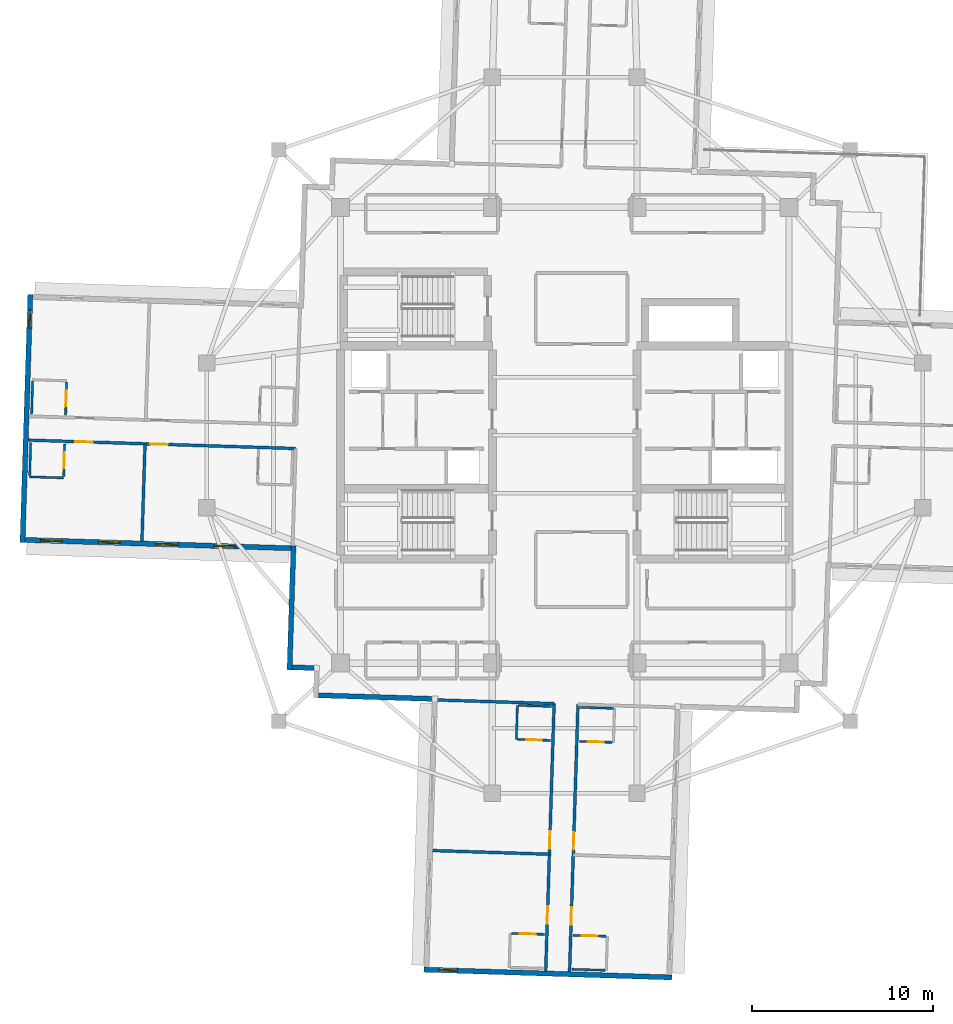
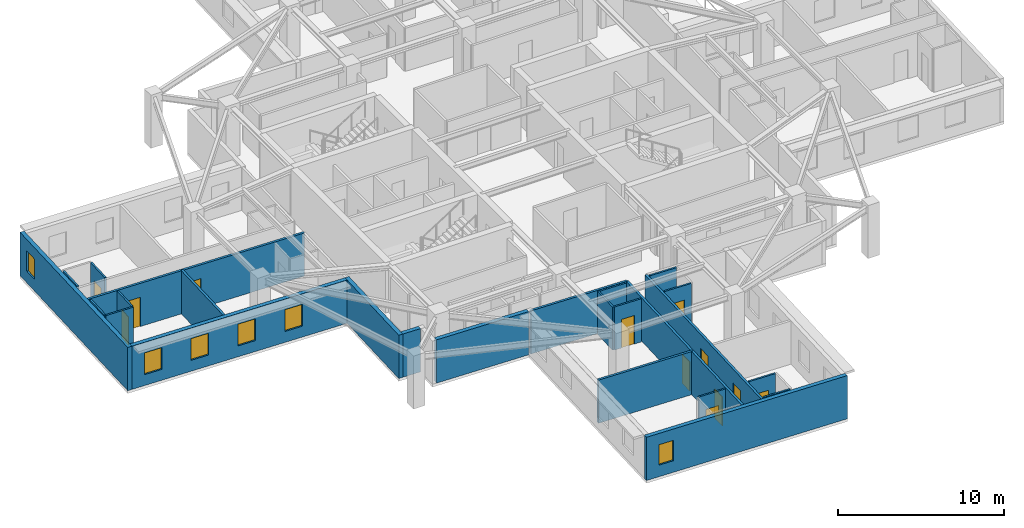
# One storey, part 3 of 12: 25 walls, 12 doors, 6 windows, 18 openings.
"""IFC4 building model written with IfcOpenShell, lengths in metres."""

from ifc_helpers import new_model, si_unit, direction, frame, frame_2d, origin, place, context, subcontext, project, spatial, rectangle, extrude, material, layer, layer_set, type_object, element, fill, save


model = new_model("IFC4")

# Units and contexts
model_context = context("Model", 3, precision=1e-05, world=origin(), true_north=direction((0.0, 1.0)))
body_context = subcontext(model_context, "Body", "Model", "MODEL_VIEW")
ifc_project = project(units=[si_unit("LENGTHUNIT", "METRE"), si_unit("AREAUNIT", "SQUARE_METRE"), si_unit("VOLUMEUNIT", "CUBIC_METRE"), si_unit("PLANEANGLEUNIT", "RADIAN"), si_unit("MASSUNIT", "GRAM", prefix="KILO")], contexts=[model_context])

# Site, building, storey
site_placement = place(None, origin())
site = spatial("IfcSite", under=ifc_project, at=site_placement, CompositionType="ELEMENT")
building_placement = place(site_placement, origin())
building = spatial("IfcBuilding", under=site, at=building_placement, Name="Qingluan Cross Belvedere", CompositionType="ELEMENT")
storey_placement = place(building_placement, frame((0.0, 0.0, 232.5)))
storey = spatial("IfcBuildingStorey", under=building, at=storey_placement, Name="L58", CompositionType="ELEMENT", Elevation=232.5)

# Wall, openings, doors
ifc_material_1 = material(Name="Gypsum plasterboard on steel stud acoustic partition", Category="steel")
ifc_layer_1 = layer(ifc_material_1, 0.159912109375, Name="CorridorPartition_160")
ifc_layer_set_1 = layer_set([ifc_layer_1], Name="Gypsum plasterboard on steel stud acoustic partition")
wall_type_1 = type_object("IfcWallType", Name="CorridorPartition_160", PredefinedType="PARTITIONING", material=ifc_layer_set_1)
wall_1_placement = place(storey_placement, frame((-14.88037109375, -0.73291015625, 0.0), z_axis=(0.0, 0.0, 1.0), x_axis=(-0.999506468759, 0.031413673903, 0.0)))
wall_1 = element("IfcWall", 1, at=wall_1_placement, inside=storey, type_object=wall_type_1, Name="Partition L58:W:c1", PredefinedType="PARTITIONING", context=body_context, shape_type="SweptSolid", body=[
    extrude(rectangle(XDim=14.781982421875, YDim=0.159912109375, at=frame_2d((7.39111328125, 0.0))), origin(), (0.0, 0.0, 1.0), 3.169921875),
])
opening_1_placement = place(wall_1_placement, frame((7.071044921875, 0.0, 0.0)))
opening_1 = element("IfcOpeningElement", 2, at=opening_1_placement, cuts=wall_1, Name="Opening GD-10", PredefinedType="OPENING", context=body_context, shape_type="SweptSolid", body=[
    extrude(rectangle(XDim=0.9599609375, YDim=2.14990234375, at=frame_2d((0.47998046875, 1.074951171875))), frame((0.0, 0.08984375, 0.0), z_axis=(0.0, -1.0, 0.0), x_axis=(1.0, 0.0, 0.0)), (0.0, 0.0, 1.0), 0.179931640625),
])
opening_2_placement = place(wall_1_placement, frame((11.221923828125, 0.0, 0.0)))
opening_2 = element("IfcOpeningElement", 3, at=opening_2_placement, cuts=wall_1, Name="Opening GD-10", PredefinedType="OPENING", context=body_context, shape_type="SweptSolid", body=[
    extrude(rectangle(XDim=0.9599609375, YDim=2.14990234375, at=frame_2d((0.47998046875, 1.074951171875))), frame((0.0, 0.08984375, 0.0), z_axis=(0.0, -1.0, 0.0), x_axis=(1.0, 0.0, 0.0)), (0.0, 0.0, 1.0), 0.179931640625),
])
ifc_material_2 = material(Name="Timber oak fire-rated acoustic guestroom door", Category="wood")
door_type_1 = type_object("IfcDoorType", Name="GuestEntryDoor_FD60", OperationType="NOTDEFINED", PredefinedType="DOOR", material=ifc_material_2)
door_1_placement = place(opening_1_placement, origin())
door_1 = element("IfcDoor", 4, at=door_1_placement, inside=storey, type_object=door_type_1, Name="Guest entry fire door 5807", OperationType="SINGLE_SWING_RIGHT", OverallHeight=2.14990234375, OverallWidth=0.9599609375, PredefinedType="DOOR", context=body_context, shape_type="SweptSolid", body=[
    extrude(rectangle(XDim=0.9599609375, YDim=2.14990234375, at=frame_2d((0.47998046875, 1.074951171875))), frame((0.0, 0.02490234375, 0.0), z_axis=(0.0, -1.0, 0.0), x_axis=(1.0, 0.0, 0.0)), (0.0, 0.0, 1.0), 0.050048828125),
])
fill(opening_1, door_1)
door_2_placement = place(opening_2_placement, origin())
door_2 = element("IfcDoor", 5, at=door_2_placement, inside=storey, type_object=door_type_1, Name="Guest entry fire door 5808", OperationType="SINGLE_SWING_RIGHT", OverallHeight=2.14990234375, OverallWidth=0.9599609375, PredefinedType="DOOR", context=body_context, shape_type="SweptSolid", body=[
    extrude(rectangle(XDim=0.9599609375, YDim=2.14990234375, at=frame_2d((0.47998046875, 1.074951171875))), frame((0.0, 0.02490234375, 0.0), z_axis=(0.0, -1.0, 0.0), x_axis=(1.0, 0.0, 0.0)), (0.0, 0.0, 1.0), 0.050048828125),
])
fill(opening_2, door_2)

# Wall
wall_2_placement = place(storey_placement, frame((-23.207275390625, -0.47119140625, 0.0), z_axis=(0.0, 0.0, 1.0), x_axis=(-0.031403591545, -0.999506785589, 0.0)))
element("IfcWall", 6, at=wall_2_placement, inside=storey, type_object=wall_type_1, Name="Partition L58:W:d1_0", PredefinedType="PARTITIONING", context=body_context, shape_type="SweptSolid", body=[
    extrude(rectangle(XDim=5.3720703125, YDim=0.159912109375, at=frame_2d((2.68603515625, 0.0))), origin(), (0.0, 0.0, 1.0), 3.169921875),
])

# Wall, openings, doors
wall_3_placement = place(storey_placement, frame((0.73291015625, -14.88037109375, 0.0), z_axis=(0.0, 0.0, 1.0), x_axis=(-0.031413673903, -0.999506468759, 0.0)))
wall_3 = element("IfcWall", 7, at=wall_3_placement, inside=storey, type_object=wall_type_1, Name="Partition L58:S:c0", PredefinedType="PARTITIONING", context=body_context, shape_type="SweptSolid", body=[
    extrude(rectangle(XDim=14.781982421875, YDim=0.159912109375, at=frame_2d((7.39111328125, 0.0))), origin(), (0.0, 0.0, 1.0), 3.169921875),
])
opening_3_placement = place(wall_3_placement, frame((7.071044921875, 0.0, 0.0)))
opening_3 = element("IfcOpeningElement", 8, at=opening_3_placement, cuts=wall_3, Name="Opening GD-10", PredefinedType="OPENING", context=body_context, shape_type="SweptSolid", body=[
    extrude(rectangle(XDim=0.9599609375, YDim=2.14990234375, at=frame_2d((0.47998046875, 1.074951171875))), frame((0.0, 0.08984375, 0.0), z_axis=(0.0, -1.0, 0.0), x_axis=(1.0, 0.0, 0.0)), (0.0, 0.0, 1.0), 0.179931640625),
])
opening_4_placement = place(wall_3_placement, frame((11.221923828125, 0.0, 0.0)))
opening_4 = element("IfcOpeningElement", 9, at=opening_4_placement, cuts=wall_3, Name="Opening GD-10", PredefinedType="OPENING", context=body_context, shape_type="SweptSolid", body=[
    extrude(rectangle(XDim=0.9599609375, YDim=2.14990234375, at=frame_2d((0.47998046875, 1.074951171875))), frame((0.0, 0.08984375, 0.0), z_axis=(0.0, -1.0, 0.0), x_axis=(1.0, 0.0, 0.0)), (0.0, 0.0, 1.0), 0.179931640625),
])
door_3_placement = place(opening_3_placement, origin())
door_3 = element("IfcDoor", 10, at=door_3_placement, inside=storey, type_object=door_type_1, Name="Guest entry fire door 5813", OperationType="SINGLE_SWING_RIGHT", OverallHeight=2.14990234375, OverallWidth=0.9599609375, PredefinedType="DOOR", context=body_context, shape_type="SweptSolid", body=[
    extrude(rectangle(XDim=0.9599609375, YDim=2.14990234375, at=frame_2d((0.47998046875, 1.074951171875))), frame((0.0, 0.02490234375, 0.0), z_axis=(0.0, -1.0, 0.0), x_axis=(1.0, 0.0, 0.0)), (0.0, 0.0, 1.0), 0.050048828125),
])
fill(opening_3, door_3)
door_4_placement = place(opening_4_placement, origin())
door_4 = element("IfcDoor", 11, at=door_4_placement, inside=storey, type_object=door_type_1, Name="Guest entry fire door 5814", OperationType="SINGLE_SWING_RIGHT", OverallHeight=2.14990234375, OverallWidth=0.9599609375, PredefinedType="DOOR", context=body_context, shape_type="SweptSolid", body=[
    extrude(rectangle(XDim=0.9599609375, YDim=2.14990234375, at=frame_2d((0.47998046875, 1.074951171875))), frame((0.0, 0.02490234375, 0.0), z_axis=(0.0, -1.0, 0.0), x_axis=(1.0, 0.0, 0.0)), (0.0, 0.0, 1.0), 0.050048828125),
])
fill(opening_4, door_4)

wall_4_placement = place(storey_placement, frame((-0.58642578125, -14.8388671875, 0.0), z_axis=(0.0, 0.0, 1.0), x_axis=(-0.031413673903, -0.999506468759, 0.0)))
wall_4 = element("IfcWall", 12, at=wall_4_placement, inside=storey, type_object=wall_type_1, Name="Partition L58:S:c1", PredefinedType="PARTITIONING", context=body_context, shape_type="SweptSolid", body=[
    extrude(rectangle(XDim=14.781982421875, YDim=0.159912109375, at=frame_2d((7.39111328125, 0.0))), origin(), (0.0, 0.0, 1.0), 3.169921875),
])
opening_5_placement = place(wall_4_placement, frame((7.071044921875, 0.0, 0.0)))
opening_5 = element("IfcOpeningElement", 13, at=opening_5_placement, cuts=wall_4, Name="Opening GD-10", PredefinedType="OPENING", context=body_context, shape_type="SweptSolid", body=[
    extrude(rectangle(XDim=0.9599609375, YDim=2.14990234375, at=frame_2d((0.47998046875, 1.074951171875))), frame((0.0, 0.08984375, 0.0), z_axis=(0.0, -1.0, 0.0), x_axis=(1.0, 0.0, 0.0)), (0.0, 0.0, 1.0), 0.179931640625),
])
opening_6_placement = place(wall_4_placement, frame((11.221923828125, 0.0, 0.0)))
opening_6 = element("IfcOpeningElement", 14, at=opening_6_placement, cuts=wall_4, Name="Opening GD-10", PredefinedType="OPENING", context=body_context, shape_type="SweptSolid", body=[
    extrude(rectangle(XDim=0.9599609375, YDim=2.14990234375, at=frame_2d((0.47998046875, 1.074951171875))), frame((0.0, 0.08984375, 0.0), z_axis=(0.0, -1.0, 0.0), x_axis=(1.0, 0.0, 0.0)), (0.0, 0.0, 1.0), 0.179931640625),
])
door_5_placement = place(opening_5_placement, origin())
door_5 = element("IfcDoor", 15, at=door_5_placement, inside=storey, type_object=door_type_1, Name="Guest entry fire door 5815", OperationType="SINGLE_SWING_RIGHT", OverallHeight=2.14990234375, OverallWidth=0.9599609375, PredefinedType="DOOR", context=body_context, shape_type="SweptSolid", body=[
    extrude(rectangle(XDim=0.9599609375, YDim=2.14990234375, at=frame_2d((0.47998046875, 1.074951171875))), frame((0.0, 0.02490234375, 0.0), z_axis=(0.0, -1.0, 0.0), x_axis=(1.0, 0.0, 0.0)), (0.0, 0.0, 1.0), 0.050048828125),
])
fill(opening_5, door_5)
door_6_placement = place(opening_6_placement, origin())
door_6 = element("IfcDoor", 16, at=door_6_placement, inside=storey, type_object=door_type_1, Name="Guest entry fire door 5816", OperationType="SINGLE_SWING_RIGHT", OverallHeight=2.14990234375, OverallWidth=0.9599609375, PredefinedType="DOOR", context=body_context, shape_type="SweptSolid", body=[
    extrude(rectangle(XDim=0.9599609375, YDim=2.14990234375, at=frame_2d((0.47998046875, 1.074951171875))), frame((0.0, 0.02490234375, 0.0), z_axis=(0.0, -1.0, 0.0), x_axis=(1.0, 0.0, 0.0)), (0.0, 0.0, 1.0), 0.050048828125),
])
fill(opening_6, door_6)

# Walls
wall_5_placement = place(storey_placement, frame((-0.58642578125, -14.8388671875, 0.0), z_axis=(0.0, 0.0, 1.0), x_axis=(-0.999506720281, 0.031405670078, 0.0)))
element("IfcWall", 17, at=wall_5_placement, inside=storey, type_object=wall_type_1, Name="Partition L58:S:s1", PredefinedType="PARTITIONING", context=body_context, shape_type="SweptSolid", body=[
    extrude(rectangle(XDim=6.599853515625, YDim=0.159912109375, at=frame_2d((3.2998046875, 0.0))), origin(), (0.0, 0.0, 1.0), 3.169921875),
])
wall_6_placement = place(storey_placement, frame((-0.84814453125, -23.165771484375, 0.0), z_axis=(0.0, 0.0, 1.0), x_axis=(-0.999506671308, 0.031407228636, 0.0)))
element("IfcWall", 18, at=wall_6_placement, inside=storey, type_object=wall_type_1, Name="Partition L58:S:d1_0", PredefinedType="PARTITIONING", context=body_context, shape_type="SweptSolid", body=[
    extrude(rectangle(XDim=6.451904296875, YDim=0.159912109375, at=frame_2d((3.22607421875, 0.0))), origin(), (0.0, 0.0, 1.0), 3.169921875),
])

# Wall, opening, door
ifc_material_3 = material(Name="Moisture-resistant gypsum board lining")
ifc_layer_2 = layer(ifc_material_3, 0.1201171875, Name="EnsuiteWetPartition_120")
ifc_layer_set_2 = layer_set([ifc_layer_2], Name="Moisture-resistant gypsum board lining")
wall_type_2 = type_object("IfcWallType", Name="EnsuiteWetPartition_120", PredefinedType="PARTITIONING", material=ifc_layer_set_2)
wall_7_placement = place(storey_placement, frame((-27.59814453125, 1.12744140625, 0.0), z_axis=(0.0, 0.0, 1.0), x_axis=(0.031389704724, 0.999507221803, 0.0)))
wall_7 = element("IfcWall", 19, at=wall_7_placement, inside=storey, type_object=wall_type_2, Name="Partition L58:W:bs0_1", PredefinedType="PARTITIONING", context=body_context, shape_type="SweptSolid", body=[
    extrude(rectangle(XDim=1.820068359375, YDim=0.1201171875, at=frame_2d((0.91015625, 0.0))), origin(), (0.0, 0.0, 1.0), 3.169921875),
])
opening_7_placement = place(wall_7_placement, frame((0.469970703125, 0.0, 0.0)))
opening_7 = element("IfcOpeningElement", 20, at=opening_7_placement, cuts=wall_7, Name="Opening BD-09", PredefinedType="OPENING", context=body_context, shape_type="SweptSolid", body=[
    extrude(rectangle(XDim=0.8798828125, YDim=2.10009765625, at=frame_2d((0.43994140625, 1.050048828125))), frame((0.0, 0.070068359375, 0.0), z_axis=(0.0, -1.0, 0.0), x_axis=(1.0, 0.0, 0.0)), (0.0, 0.0, 1.0), 0.14013671875),
])
ifc_material_4 = material(Name="Moisture-sealed timber en-suite door", Category="wood")
door_type_2 = type_object("IfcDoorType", Name="BathroomDoor_880", OperationType="NOTDEFINED", PredefinedType="DOOR", material=ifc_material_4)
door_7_placement = place(opening_7_placement, origin())
door_7 = element("IfcDoor", 21, at=door_7_placement, inside=storey, type_object=door_type_2, Name="Bathroom door 5806", OperationType="SINGLE_SWING_LEFT", OverallHeight=2.10009765625, OverallWidth=0.8798828125, PredefinedType="DOOR", context=body_context, shape_type="SweptSolid", body=[
    extrude(rectangle(XDim=0.8798828125, YDim=2.10009765625, at=frame_2d((0.43994140625, 1.050048828125))), frame((0.0, 0.02490234375, 0.0), z_axis=(0.0, -1.0, 0.0), x_axis=(1.0, 0.0, 0.0)), (0.0, 0.0, 1.0), 0.050048828125),
])
fill(opening_7, door_7)

# Wall
wall_8_placement = place(storey_placement, frame((-29.477294921875, 1.1865234375, 0.0), z_axis=(0.0, 0.0, 1.0), x_axis=(0.031389704724, 0.999507221803, 0.0)))
element("IfcWall", 22, at=wall_8_placement, inside=storey, type_object=wall_type_2, Name="Partition L58:W:bw0_1", PredefinedType="PARTITIONING", context=body_context, shape_type="SweptSolid", body=[
    extrude(rectangle(XDim=1.820068359375, YDim=0.1201171875, at=frame_2d((0.91015625, 0.0))), origin(), (0.0, 0.0, 1.0), 3.169921875),
])

# Wall, opening, door
wall_9_placement = place(storey_placement, frame((-27.70556640625, -2.291015625, 0.0), z_axis=(0.0, 0.0, 1.0), x_axis=(0.031385496622, 0.999507353951, 0.0)))
wall_9 = element("IfcWall", 23, at=wall_9_placement, inside=storey, type_object=wall_type_2, Name="Partition L58:W:bs1_1", PredefinedType="PARTITIONING", context=body_context, shape_type="SweptSolid", body=[
    extrude(rectangle(XDim=1.8203125, YDim=0.1201171875, at=frame_2d((0.91015625, 0.0))), origin(), (0.0, 0.0, 1.0), 3.169921875),
])
opening_8_placement = place(wall_9_placement, frame((0.469970703125, 0.0, 0.0)))
opening_8 = element("IfcOpeningElement", 24, at=opening_8_placement, cuts=wall_9, Name="Opening BD-09", PredefinedType="OPENING", context=body_context, shape_type="SweptSolid", body=[
    extrude(rectangle(XDim=0.8798828125, YDim=2.10009765625, at=frame_2d((0.43994140625, 1.050048828125))), frame((0.0, 0.070068359375, 0.0), z_axis=(0.0, -1.0, 0.0), x_axis=(1.0, 0.0, 0.0)), (0.0, 0.0, 1.0), 0.14013671875),
])
door_8_placement = place(opening_8_placement, origin())
door_8 = element("IfcDoor", 25, at=door_8_placement, inside=storey, type_object=door_type_2, Name="Bathroom door 5808", OperationType="SINGLE_SWING_LEFT", OverallHeight=2.10009765625, OverallWidth=0.8798828125, PredefinedType="DOOR", context=body_context, shape_type="SweptSolid", body=[
    extrude(rectangle(XDim=0.8798828125, YDim=2.10009765625, at=frame_2d((0.43994140625, 1.050048828125))), frame((0.0, 0.02490234375, 0.0), z_axis=(0.0, -1.0, 0.0), x_axis=(1.0, 0.0, 0.0)), (0.0, 0.0, 1.0), 0.050048828125),
])
fill(opening_8, door_8)

# Walls
wall_10_placement = place(storey_placement, frame((-29.584716796875, -2.231689453125, 0.0), z_axis=(0.0, 0.0, 1.0), x_axis=(0.031389704724, 0.999507221803, 0.0)))
element("IfcWall", 26, at=wall_10_placement, inside=storey, type_object=wall_type_2, Name="Partition L58:W:bw1_1", PredefinedType="PARTITIONING", context=body_context, shape_type="SweptSolid", body=[
    extrude(rectangle(XDim=1.820068359375, YDim=0.1201171875, at=frame_2d((0.91015625, 0.0))), origin(), (0.0, 0.0, 1.0), 3.169921875),
])
wall_11_placement = place(storey_placement, frame((-27.707763671875, -2.355712890625, 0.0), z_axis=(0.0, 0.0, 1.0), x_axis=(-0.999510046681, 0.031299625942, 0.0)))
element("IfcWall", 27, at=wall_11_placement, inside=storey, type_object=wall_type_2, Name="Partition L58:W:bc1_1", PredefinedType="PARTITIONING", context=body_context, shape_type="SweptSolid", body=[
    extrude(rectangle(XDim=1.8798828125, YDim=0.1201171875, at=frame_2d((0.93994140625, 0.0))), origin(), (0.0, 0.0, 1.0), 3.169921875),
])

# Wall, opening, door
wall_12_placement = place(storey_placement, frame((0.808837890625, -16.923828125, 0.0), z_axis=(0.0, 0.0, 1.0), x_axis=(0.999507221803, -0.031389704724, 0.0)))
wall_12 = element("IfcWall", 28, at=wall_12_placement, inside=storey, type_object=wall_type_2, Name="Partition L58:S:bs0_0", PredefinedType="PARTITIONING", context=body_context, shape_type="SweptSolid", body=[
    extrude(rectangle(XDim=1.820068359375, YDim=0.1201171875, at=frame_2d((0.91015625, 0.0))), origin(), (0.0, 0.0, 1.0), 3.169921875),
])
opening_9_placement = place(wall_12_placement, frame((0.469970703125, 0.0, 0.0)))
opening_9 = element("IfcOpeningElement", 29, at=opening_9_placement, cuts=wall_12, Name="Opening BD-09", PredefinedType="OPENING", context=body_context, shape_type="SweptSolid", body=[
    extrude(rectangle(XDim=0.8798828125, YDim=2.10009765625, at=frame_2d((0.43994140625, 1.050048828125))), frame((0.0, 0.070068359375, 0.0), z_axis=(0.0, -1.0, 0.0), x_axis=(1.0, 0.0, 0.0)), (0.0, 0.0, 1.0), 0.14013671875),
])
door_9_placement = place(opening_9_placement, origin())
door_9 = element("IfcDoor", 30, at=door_9_placement, inside=storey, type_object=door_type_2, Name="Bathroom door 5813", OperationType="SINGLE_SWING_LEFT", OverallHeight=2.10009765625, OverallWidth=0.8798828125, PredefinedType="DOOR", context=body_context, shape_type="SweptSolid", body=[
    extrude(rectangle(XDim=0.8798828125, YDim=2.10009765625, at=frame_2d((0.43994140625, 1.050048828125))), frame((0.0, 0.02490234375, 0.0), z_axis=(0.0, -1.0, 0.0), x_axis=(1.0, 0.0, 0.0)), (0.0, 0.0, 1.0), 0.050048828125),
])
fill(opening_9, door_9)

# Wall
wall_13_placement = place(storey_placement, frame((0.867919921875, -15.044677734375, 0.0), z_axis=(0.0, 0.0, 1.0), x_axis=(0.999507221803, -0.031389704724, 0.0)))
element("IfcWall", 31, at=wall_13_placement, inside=storey, type_object=wall_type_2, Name="Partition L58:S:bw0_0", PredefinedType="PARTITIONING", context=body_context, shape_type="SweptSolid", body=[
    extrude(rectangle(XDim=1.820068359375, YDim=0.1201171875, at=frame_2d((0.91015625, 0.0))), origin(), (0.0, 0.0, 1.0), 3.169921875),
])

# Wall, opening, door
wall_14_placement = place(storey_placement, frame((0.4716796875, -27.6484375, 0.0), z_axis=(0.0, 0.0, 1.0), x_axis=(0.999507353951, -0.031385496622, 0.0)))
wall_14 = element("IfcWall", 32, at=wall_14_placement, inside=storey, type_object=wall_type_2, Name="Partition L58:S:bs0_1", PredefinedType="PARTITIONING", context=body_context, shape_type="SweptSolid", body=[
    extrude(rectangle(XDim=1.8203125, YDim=0.1201171875, at=frame_2d((0.91015625, 0.0))), origin(), (0.0, 0.0, 1.0), 3.169921875),
])
opening_10_placement = place(wall_14_placement, frame((0.469970703125, 0.0, 0.0)))
opening_10 = element("IfcOpeningElement", 33, at=opening_10_placement, cuts=wall_14, Name="Opening BD-09", PredefinedType="OPENING", context=body_context, shape_type="SweptSolid", body=[
    extrude(rectangle(XDim=0.8798828125, YDim=2.10009765625, at=frame_2d((0.43994140625, 1.050048828125))), frame((0.0, 0.070068359375, 0.0), z_axis=(0.0, -1.0, 0.0), x_axis=(1.0, 0.0, 0.0)), (0.0, 0.0, 1.0), 0.14013671875),
])
door_10_placement = place(opening_10_placement, origin())
door_10 = element("IfcDoor", 34, at=door_10_placement, inside=storey, type_object=door_type_2, Name="Bathroom door 5814", OperationType="SINGLE_SWING_LEFT", OverallHeight=2.10009765625, OverallWidth=0.8798828125, PredefinedType="DOOR", context=body_context, shape_type="SweptSolid", body=[
    extrude(rectangle(XDim=0.8798828125, YDim=2.10009765625, at=frame_2d((0.43994140625, 1.050048828125))), frame((0.0, 0.02490234375, 0.0), z_axis=(0.0, -1.0, 0.0), x_axis=(1.0, 0.0, 0.0)), (0.0, 0.0, 1.0), 0.050048828125),
])
fill(opening_10, door_10)

# Wall
wall_15_placement = place(storey_placement, frame((0.41259765625, -29.527587890625, 0.0), z_axis=(0.0, 0.0, 1.0), x_axis=(0.999507221803, -0.031389704724, 0.0)))
element("IfcWall", 35, at=wall_15_placement, inside=storey, type_object=wall_type_2, Name="Partition L58:S:bw0_1", PredefinedType="PARTITIONING", context=body_context, shape_type="SweptSolid", body=[
    extrude(rectangle(XDim=1.820068359375, YDim=0.1201171875, at=frame_2d((0.91015625, 0.0))), origin(), (0.0, 0.0, 1.0), 3.169921875),
])

# Wall, opening, door
wall_16_placement = place(storey_placement, frame((-2.609619140625, -16.81640625, 0.0), z_axis=(0.0, 0.0, 1.0), x_axis=(0.999507353951, -0.031385496622, 0.0)))
wall_16 = element("IfcWall", 36, at=wall_16_placement, inside=storey, type_object=wall_type_2, Name="Partition L58:S:bs1_0", PredefinedType="PARTITIONING", context=body_context, shape_type="SweptSolid", body=[
    extrude(rectangle(XDim=1.8203125, YDim=0.1201171875, at=frame_2d((0.91015625, 0.0))), origin(), (0.0, 0.0, 1.0), 3.169921875),
])
opening_11_placement = place(wall_16_placement, frame((0.469970703125, 0.0, 0.0)))
opening_11 = element("IfcOpeningElement", 37, at=opening_11_placement, cuts=wall_16, Name="Opening BD-09", PredefinedType="OPENING", context=body_context, shape_type="SweptSolid", body=[
    extrude(rectangle(XDim=0.8798828125, YDim=2.10009765625, at=frame_2d((0.43994140625, 1.050048828125))), frame((0.0, 0.070068359375, 0.0), z_axis=(0.0, -1.0, 0.0), x_axis=(1.0, 0.0, 0.0)), (0.0, 0.0, 1.0), 0.14013671875),
])
door_11_placement = place(opening_11_placement, origin())
door_11 = element("IfcDoor", 38, at=door_11_placement, inside=storey, type_object=door_type_2, Name="Bathroom door 5815", OperationType="SINGLE_SWING_LEFT", OverallHeight=2.10009765625, OverallWidth=0.8798828125, PredefinedType="DOOR", context=body_context, shape_type="SweptSolid", body=[
    extrude(rectangle(XDim=0.8798828125, YDim=2.10009765625, at=frame_2d((0.43994140625, 1.050048828125))), frame((0.0, 0.02490234375, 0.0), z_axis=(0.0, -1.0, 0.0), x_axis=(1.0, 0.0, 0.0)), (0.0, 0.0, 1.0), 0.050048828125),
])
fill(opening_11, door_11)

# Walls
wall_17_placement = place(storey_placement, frame((-2.55029296875, -14.937255859375, 0.0), z_axis=(0.0, 0.0, 1.0), x_axis=(0.999507221803, -0.031389704724, 0.0)))
element("IfcWall", 39, at=wall_17_placement, inside=storey, type_object=wall_type_2, Name="Partition L58:S:bw1_0", PredefinedType="PARTITIONING", context=body_context, shape_type="SweptSolid", body=[
    extrude(rectangle(XDim=1.820068359375, YDim=0.1201171875, at=frame_2d((0.91015625, 0.0))), origin(), (0.0, 0.0, 1.0), 3.169921875),
])
wall_18_placement = place(storey_placement, frame((-2.615478515625, -14.935302734375, 0.0), z_axis=(0.0, 0.0, 1.0), x_axis=(-0.031429371883, -0.999505975261, 0.0)))
element("IfcWall", 40, at=wall_18_placement, inside=storey, type_object=wall_type_2, Name="Partition L58:S:bc1_0", PredefinedType="PARTITIONING", context=body_context, shape_type="SweptSolid", body=[
    extrude(rectangle(XDim=1.8798828125, YDim=0.1201171875, at=frame_2d((0.93994140625, 0.0))), origin(), (0.0, 0.0, 1.0), 3.169921875),
])

# Wall, opening, door
wall_19_placement = place(storey_placement, frame((-2.946533203125, -27.541015625, 0.0), z_axis=(0.0, 0.0, 1.0), x_axis=(0.999507221803, -0.031389704724, 0.0)))
wall_19 = element("IfcWall", 41, at=wall_19_placement, inside=storey, type_object=wall_type_2, Name="Partition L58:S:bs1_1", PredefinedType="PARTITIONING", context=body_context, shape_type="SweptSolid", body=[
    extrude(rectangle(XDim=1.820068359375, YDim=0.1201171875, at=frame_2d((0.91015625, 0.0))), origin(), (0.0, 0.0, 1.0), 3.169921875),
])
opening_12_placement = place(wall_19_placement, frame((0.469970703125, 0.0, 0.0)))
opening_12 = element("IfcOpeningElement", 42, at=opening_12_placement, cuts=wall_19, Name="Opening BD-09", PredefinedType="OPENING", context=body_context, shape_type="SweptSolid", body=[
    extrude(rectangle(XDim=0.8798828125, YDim=2.10009765625, at=frame_2d((0.43994140625, 1.050048828125))), frame((0.0, 0.070068359375, 0.0), z_axis=(0.0, -1.0, 0.0), x_axis=(1.0, 0.0, 0.0)), (0.0, 0.0, 1.0), 0.14013671875),
])
door_12_placement = place(opening_12_placement, origin())
door_12 = element("IfcDoor", 43, at=door_12_placement, inside=storey, type_object=door_type_2, Name="Bathroom door 5816", OperationType="SINGLE_SWING_LEFT", OverallHeight=2.10009765625, OverallWidth=0.8798828125, PredefinedType="DOOR", context=body_context, shape_type="SweptSolid", body=[
    extrude(rectangle(XDim=0.8798828125, YDim=2.10009765625, at=frame_2d((0.43994140625, 1.050048828125))), frame((0.0, 0.02490234375, 0.0), z_axis=(0.0, -1.0, 0.0), x_axis=(1.0, 0.0, 0.0)), (0.0, 0.0, 1.0), 0.050048828125),
])
fill(opening_12, door_12)

# Wall, openings, windows
ifc_material_5 = material(Name="Precast concrete C45", Category="concrete")
ifc_layer_3 = layer(ifc_material_5, 0.280029296875, Name="PrecastFacadeWall_280")
ifc_layer_set_3 = layer_set([ifc_layer_3], Name="Precast concrete C45")
wall_type_3 = type_object("IfcWallType", Name="PrecastFacadeWall_280", PredefinedType="STANDARD", material=ifc_layer_set_3)
wall_20_placement = place(storey_placement, frame((-29.83642578125, -5.78564453125, 0.0), z_axis=(0.0, 0.0, 1.0), x_axis=(0.999506698073, -0.031406376864, 0.0)))
wall_20 = element("IfcWall", 44, at=wall_20_placement, inside=storey, type_object=wall_type_3, Name="Facade wall L58-WB", PredefinedType="STANDARD", context=body_context, shape_type="SweptSolid", body=[
    extrude(rectangle(XDim=14.699951171875, YDim=0.280029296875, at=frame_2d((7.35009765625, 0.0))), origin(), (0.0, 0.0, 1.0), 3.179931640625),
])
opening_13_placement = place(wall_20_placement, frame((0.85009765625, 0.0, 0.800048828125)))
opening_13 = element("IfcOpeningElement", 45, at=opening_13_placement, cuts=wall_20, Name="Opening W-02", PredefinedType="OPENING", context=body_context, shape_type="SweptSolid", body=[
    extrude(rectangle(XDim=1.199951171875, YDim=1.60009765625, at=frame_2d((0.60009765625, 0.800048828125))), frame((0.0, 0.14990234375, 0.0), z_axis=(0.0, -1.0, 0.0), x_axis=(1.0, 0.0, 0.0)), (0.0, 0.0, 1.0), 0.300048828125),
])
opening_14_placement = place(wall_20_placement, frame((4.050048828125, 0.0, 0.800048828125)))
opening_14 = element("IfcOpeningElement", 46, at=opening_14_placement, cuts=wall_20, Name="Opening W-02", PredefinedType="OPENING", context=body_context, shape_type="SweptSolid", body=[
    extrude(rectangle(XDim=1.199951171875, YDim=1.60009765625, at=frame_2d((0.60009765625, 0.800048828125))), frame((0.0, 0.14990234375, 0.0), z_axis=(0.0, -1.0, 0.0), x_axis=(1.0, 0.0, 0.0)), (0.0, 0.0, 1.0), 0.300048828125),
])
opening_15_placement = place(wall_20_placement, frame((7.25, 0.0, 0.800048828125)))
opening_15 = element("IfcOpeningElement", 47, at=opening_15_placement, cuts=wall_20, Name="Opening W-02", PredefinedType="OPENING", context=body_context, shape_type="SweptSolid", body=[
    extrude(rectangle(XDim=1.199951171875, YDim=1.60009765625, at=frame_2d((0.60009765625, 0.800048828125))), frame((0.0, 0.14990234375, 0.0), z_axis=(0.0, -1.0, 0.0), x_axis=(1.0, 0.0, 0.0)), (0.0, 0.0, 1.0), 0.300048828125),
])
opening_16_placement = place(wall_20_placement, frame((10.449951171875, 0.0, 0.800048828125)))
opening_16 = element("IfcOpeningElement", 48, at=opening_16_placement, cuts=wall_20, Name="Opening W-02", PredefinedType="OPENING", context=body_context, shape_type="SweptSolid", body=[
    extrude(rectangle(XDim=1.199951171875, YDim=1.60009765625, at=frame_2d((0.60009765625, 0.800048828125))), frame((0.0, 0.14990234375, 0.0), z_axis=(0.0, -1.0, 0.0), x_axis=(1.0, 0.0, 0.0)), (0.0, 0.0, 1.0), 0.300048828125),
])
ifc_material_6 = material(Name="Thermally broken triple Low-E glass in aluminium frame", Category="aluminium")
window_type_1 = type_object("IfcWindowType", Name="TriRibbonWin_1200x1600", PartitioningType="SINGLE_PANEL", PredefinedType="WINDOW", material=ifc_material_6)
window_1_placement = place(opening_13_placement, origin())
window_1 = element("IfcWindow", 49, at=window_1_placement, inside=storey, type_object=window_type_1, Name="Ribbon window L58-WB-1", OverallHeight=1.60009765625, OverallWidth=1.199951171875, PartitioningType="SINGLE_PANEL", PredefinedType="WINDOW", context=body_context, shape_type="SweptSolid", body=[
    extrude(rectangle(XDim=1.199951171875, YDim=1.60009765625, at=frame_2d((0.60009765625, 0.800048828125))), frame((0.0, 0.030029296875, 0.0), z_axis=(0.0, -1.0, 0.0), x_axis=(1.0, 0.0, 0.0)), (0.0, 0.0, 1.0), 0.06005859375),
])
fill(opening_13, window_1)
window_2_placement = place(opening_14_placement, origin())
window_2 = element("IfcWindow", 50, at=window_2_placement, inside=storey, type_object=window_type_1, Name="Ribbon window L58-WB-2", OverallHeight=1.60009765625, OverallWidth=1.199951171875, PartitioningType="SINGLE_PANEL", PredefinedType="WINDOW", context=body_context, shape_type="SweptSolid", body=[
    extrude(rectangle(XDim=1.199951171875, YDim=1.60009765625, at=frame_2d((0.60009765625, 0.800048828125))), frame((0.0, 0.030029296875, 0.0), z_axis=(0.0, -1.0, 0.0), x_axis=(1.0, 0.0, 0.0)), (0.0, 0.0, 1.0), 0.06005859375),
])
fill(opening_14, window_2)
window_3_placement = place(opening_15_placement, origin())
window_3 = element("IfcWindow", 51, at=window_3_placement, inside=storey, type_object=window_type_1, Name="Ribbon window L58-WB-3", OverallHeight=1.60009765625, OverallWidth=1.199951171875, PartitioningType="SINGLE_PANEL", PredefinedType="WINDOW", context=body_context, shape_type="SweptSolid", body=[
    extrude(rectangle(XDim=1.199951171875, YDim=1.60009765625, at=frame_2d((0.60009765625, 0.800048828125))), frame((0.0, 0.030029296875, 0.0), z_axis=(0.0, -1.0, 0.0), x_axis=(1.0, 0.0, 0.0)), (0.0, 0.0, 1.0), 0.06005859375),
])
fill(opening_15, window_3)
window_4_placement = place(opening_16_placement, origin())
window_4 = element("IfcWindow", 52, at=window_4_placement, inside=storey, type_object=window_type_1, Name="Ribbon window L58-WB-4", OverallHeight=1.60009765625, OverallWidth=1.199951171875, PartitioningType="SINGLE_PANEL", PredefinedType="WINDOW", context=body_context, shape_type="SweptSolid", body=[
    extrude(rectangle(XDim=1.199951171875, YDim=1.60009765625, at=frame_2d((0.60009765625, 0.800048828125))), frame((0.0, 0.030029296875, 0.0), z_axis=(0.0, -1.0, 0.0), x_axis=(1.0, 0.0, 0.0)), (0.0, 0.0, 1.0), 0.06005859375),
])
fill(opening_16, window_4)

# Wall, opening, window
wall_21_placement = place(storey_placement, frame((-29.5498046875, 7.7919921875, 0.0), z_axis=(0.0, 0.0, 1.0), x_axis=(-0.031407524763, -0.999506662003, 0.0)))
wall_21 = element("IfcWall", 53, at=wall_21_placement, inside=storey, type_object=wall_type_3, Name="Arm tip precast facade wall L58-W", PredefinedType="STANDARD", context=body_context, shape_type="SweptSolid", body=[
    extrude(rectangle(XDim=13.719970703125, YDim=0.280029296875, at=frame_2d((6.85986328125, 0.0))), origin(), (0.0, 0.0, 1.0), 3.179931640625),
])
opening_17_placement = place(wall_21_placement, frame((0.85009765625, 0.0, 0.85009765625)))
opening_17 = element("IfcOpeningElement", 54, at=opening_17_placement, cuts=wall_21, Name="Opening W-03", PredefinedType="OPENING", context=body_context, shape_type="SweptSolid", body=[
    extrude(rectangle(XDim=1.0, YDim=1.5, at=frame_2d((0.5, 0.75))), frame((0.0, 0.14990234375, 0.0), z_axis=(0.0, -1.0, 0.0), x_axis=(1.0, 0.0, 0.0)), (0.0, 0.0, 1.0), 0.300048828125),
])
ifc_material_7 = material(Name="Thermally broken triple Low-E glass in aluminium frame", Category="aluminium")
window_type_2 = type_object("IfcWindowType", Name="TriApexWin_1000x1500", PartitioningType="SINGLE_PANEL", PredefinedType="WINDOW", material=ifc_material_7)
window_5_placement = place(opening_17_placement, origin())
window_5 = element("IfcWindow", 55, at=window_5_placement, inside=storey, type_object=window_type_2, Name="Arm tip triangular window L58-W", OverallHeight=1.5, OverallWidth=1.0, PartitioningType="SINGLE_PANEL", PredefinedType="WINDOW", context=body_context, shape_type="SweptSolid", body=[
    extrude(rectangle(XDim=1.0, YDim=1.5, at=frame_2d((0.5, 0.75))), frame((0.0, 0.030029296875, 0.0), z_axis=(0.0, -1.0, 0.0), x_axis=(1.0, 0.0, 0.0)), (0.0, 0.0, 1.0), 0.06005859375),
])
fill(opening_17, window_5)

wall_22_placement = place(storey_placement, frame((-7.7919921875, -29.5498046875, 0.0), z_axis=(0.0, 0.0, 1.0), x_axis=(0.999506662003, -0.031407524763, 0.0)))
wall_22 = element("IfcWall", 56, at=wall_22_placement, inside=storey, type_object=wall_type_3, Name="Arm tip precast facade wall L58-S", PredefinedType="STANDARD", context=body_context, shape_type="SweptSolid", body=[
    extrude(rectangle(XDim=13.719970703125, YDim=0.280029296875, at=frame_2d((6.85986328125, 0.0))), origin(), (0.0, 0.0, 1.0), 3.179931640625),
])
opening_18_placement = place(wall_22_placement, frame((0.85009765625, 0.0, 0.85009765625)))
opening_18 = element("IfcOpeningElement", 57, at=opening_18_placement, cuts=wall_22, Name="Opening W-03", PredefinedType="OPENING", context=body_context, shape_type="SweptSolid", body=[
    extrude(rectangle(XDim=1.0, YDim=1.5, at=frame_2d((0.5, 0.75))), frame((0.0, 0.14990234375, 0.0), z_axis=(0.0, -1.0, 0.0), x_axis=(1.0, 0.0, 0.0)), (0.0, 0.0, 1.0), 0.300048828125),
])
window_6_placement = place(opening_18_placement, origin())
window_6 = element("IfcWindow", 58, at=window_6_placement, inside=storey, type_object=window_type_2, Name="Arm tip triangular window L58-S", OverallHeight=1.5, OverallWidth=1.0, PartitioningType="SINGLE_PANEL", PredefinedType="WINDOW", context=body_context, shape_type="SweptSolid", body=[
    extrude(rectangle(XDim=1.0, YDim=1.5, at=frame_2d((0.5, 0.75))), frame((0.0, 0.030029296875, 0.0), z_axis=(0.0, -1.0, 0.0), x_axis=(1.0, 0.0, 0.0)), (0.0, 0.0, 1.0), 0.06005859375),
])
fill(opening_18, window_6)

# Walls
wall_23_placement = place(storey_placement, frame((-14.99951171875, -6.11181640625, 0.0), z_axis=(0.0, 0.0, 1.0), x_axis=(-0.031389189386, -0.999507237988, 0.0)))
element("IfcWall", 59, at=wall_23_placement, inside=storey, type_object=wall_type_3, Name="Corner wall L58-SW1", PredefinedType="STANDARD", context=body_context, shape_type="SweptSolid", body=[
    extrude(rectangle(XDim=6.860107421875, YDim=0.280029296875, at=frame_2d((3.43017578125, 0.0))), origin(), (0.0, 0.0, 1.0), 3.179931640625),
])
wall_24_placement = place(storey_placement, frame((-15.070556640625, -12.8330078125, 0.0), z_axis=(0.0, 0.0, 1.0), x_axis=(0.999506398264, -0.031415916822, 0.0)))
element("IfcWall", 60, at=wall_24_placement, inside=storey, type_object=wall_type_3, Name="Corner wall L58-SW2", PredefinedType="STANDARD", context=body_context, shape_type="SweptSolid", body=[
    extrude(rectangle(XDim=1.219970703125, YDim=0.280029296875, at=frame_2d((0.60986328125, 0.0))), origin(), (0.0, 0.0, 1.0), 3.179931640625),
])
wall_25_placement = place(storey_placement, frame((-13.618408203125, -14.37939453125, 0.0), z_axis=(0.0, 0.0, 1.0), x_axis=(0.999507224741, -0.031389611199, 0.0)))
element("IfcWall", 61, at=wall_25_placement, inside=storey, type_object=wall_type_3, Name="Corner wall L58-SW4", PredefinedType="STANDARD", context=body_context, shape_type="SweptSolid", body=[
    extrude(rectangle(XDim=6.300048828125, YDim=0.280029296875, at=frame_2d((3.14990234375, 0.0))), origin(), (0.0, 0.0, 1.0), 3.179931640625),
])

save(model, "model.ifc")
